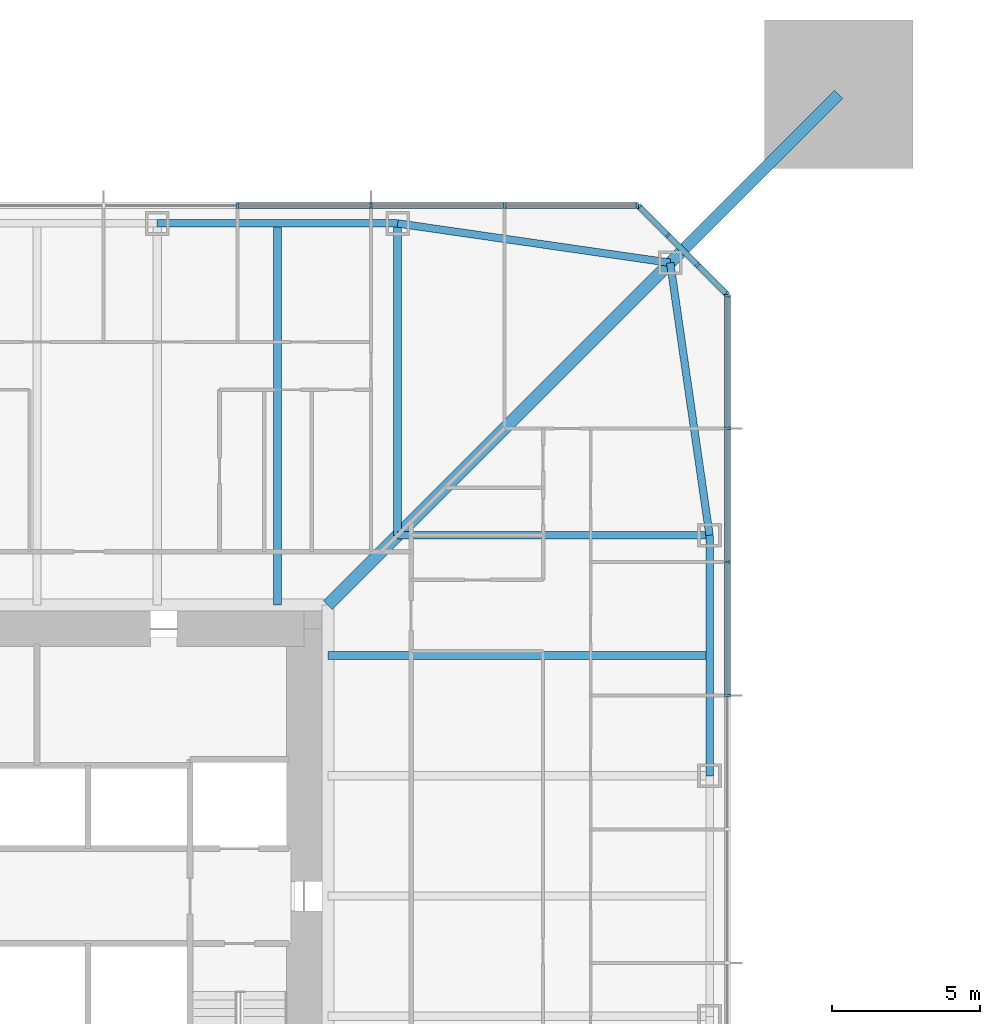
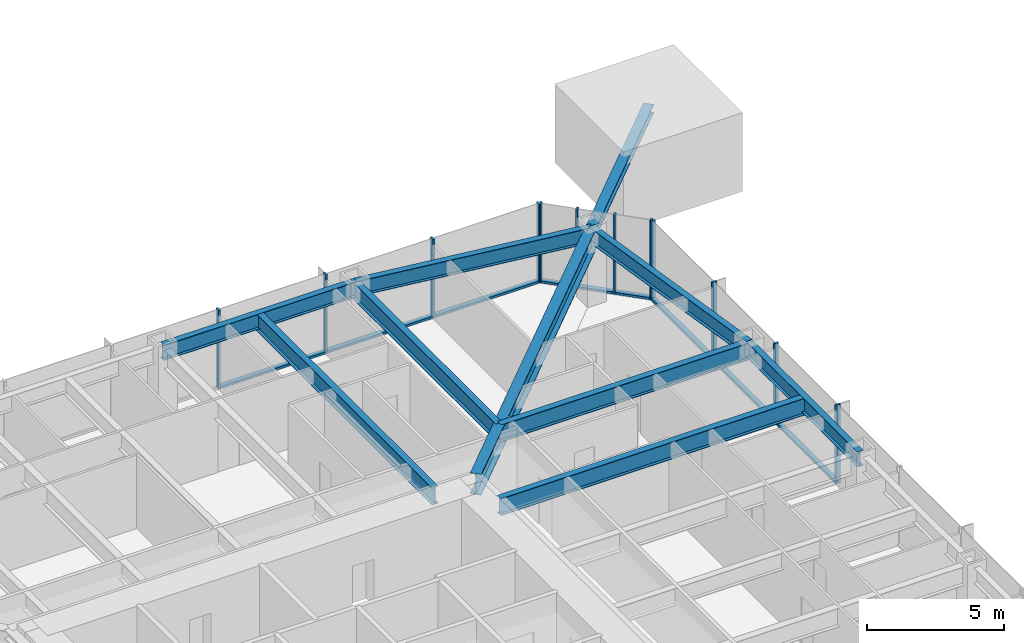
# One storey, part 7 of 26: 22 members, 9 beams, 3 elements without a shape of their own.
"""IFC4 building model written with IfcOpenShell, lengths in metres."""

from ifc_helpers import new_model, si_unit, direction, frame, origin, origin_2d, place, context, subcontext, project, spatial, rectangle, i_section, extrude, material, material_profile, profile_set, type_object, element, aggregate, save


model = new_model("IFC4")

# Units and contexts
model_context = context("Model", 3, precision=1e-05, world=origin(), true_north=direction((0.0, 1.0)))
body_context = subcontext(model_context, "Body", "Model", "MODEL_VIEW")
ifc_project = project(units=[si_unit("LENGTHUNIT", "METRE"), si_unit("AREAUNIT", "SQUARE_METRE"), si_unit("VOLUMEUNIT", "CUBIC_METRE"), si_unit("PLANEANGLEUNIT", "RADIAN"), si_unit("MASSUNIT", "GRAM", prefix="KILO")], contexts=[model_context])

# Site, building, storey
site_placement = place(None, origin())
site = spatial("IfcSite", under=ifc_project, at=site_placement, CompositionType="ELEMENT")
building_placement = place(site_placement, origin())
building = spatial("IfcBuilding", under=site, at=building_placement, Name="Iwan Alto Co-Living Towers", CompositionType="ELEMENT")
storey_placement = place(building_placement, frame((0.0, 0.0, 32.5)))
storey = spatial("IfcBuildingStorey", under=building, at=storey_placement, Name="L08", CompositionType="ELEMENT", Elevation=32.5)

# Curtain wall, members
ifc_material_1 = material(Name="Bronze aluminium unitised frame", Category="aluminium")
curtain_wall_type_1 = type_object("IfcCurtainWallType", Name="CURTAIN WALL CW-A", PredefinedType="NOTDEFINED", material=ifc_material_1)
curtain_wall_1_placement = place(storey_placement, origin())
curtain_wall_1 = element("IfcCurtainWall", 1, at=curtain_wall_1_placement, inside=storey, type_object=curtain_wall_type_1, Name="T1 curtain wall E L08", PredefinedType="NOTDEFINED")
ifc_material_2 = material(Name="Aluminium 6063-T6 bronze anodised", Category="aluminium")
ifc_material_profile_1 = material_profile(ifc_material_2, rectangle(XDim=0.199951171875, YDim=0.080078125, at=origin_2d()), Name="AL 80X200")
ifc_profile_set_1 = profile_set([ifc_material_profile_1], Name="Aluminium 6063-T6 bronze anodised")
member_type_1 = type_object("IfcMemberType", Name="CW-A MULLION 80X200", PredefinedType="MULLION", material=ifc_profile_set_1)
member_1_placement = place(storey_placement, frame((23.25, 6.75, 0.0), z_axis=(0.0, 0.0, 1.0), x_axis=(-1.0, 0.0, 0.0)))
member_1 = element("IfcMember", 2, at=member_1_placement, type_object=member_type_1, Name="CW-A mullion 7", PredefinedType="MULLION", context=body_context, shape_type="SweptSolid", body=[
    extrude(rectangle(XDim=0.199951171875, YDim=0.080078125, at=origin_2d()), origin(), (0.0, 0.0, 1.0), 3.5),
])
member_2_placement = place(storey_placement, frame((23.25, 11.25, 0.0), z_axis=(0.0, 0.0, 1.0), x_axis=(-1.0, 0.0, 0.0)))
member_2 = element("IfcMember", 3, at=member_2_placement, type_object=member_type_1, Name="CW-A mullion 8", PredefinedType="MULLION", context=body_context, shape_type="SweptSolid", body=[
    extrude(rectangle(XDim=0.199951171875, YDim=0.080078125, at=origin_2d()), origin(), (0.0, 0.0, 1.0), 3.5),
])
member_3_placement = place(storey_placement, frame((23.25, 15.75, 0.0), z_axis=(0.0, 0.0, 1.0), x_axis=(-1.0, 0.0, 0.0)))
member_3 = element("IfcMember", 4, at=member_3_placement, type_object=member_type_1, Name="CW-A mullion 9", PredefinedType="MULLION", context=body_context, shape_type="SweptSolid", body=[
    extrude(rectangle(XDim=0.199951171875, YDim=0.080078125, at=origin_2d()), origin(), (0.0, 0.0, 1.0), 3.5),
])
member_4_placement = place(storey_placement, frame((23.25, 20.2099609375, 0.0), z_axis=(0.0, 0.0, 1.0), x_axis=(-1.0, 0.0, 0.0)))
member_4 = element("IfcMember", 5, at=member_4_placement, type_object=member_type_1, Name="CW-A mullion 10", PredefinedType="MULLION", context=body_context, shape_type="SweptSolid", body=[
    extrude(rectangle(XDim=0.199951171875, YDim=0.080078125, at=origin_2d()), origin(), (0.0, 0.0, 1.0), 3.5),
])

curtain_wall_2_placement = place(storey_placement, origin())
curtain_wall_2 = element("IfcCurtainWall", 6, at=curtain_wall_2_placement, inside=storey, type_object=curtain_wall_type_1, Name="T1 curtain wall N L08", PredefinedType="NOTDEFINED")
member_5_placement = place(storey_placement, frame((20.2099609375, 23.25, 0.0), z_axis=(0.0, 0.0, 1.0), x_axis=(0.0, -1.0, 0.0)))
member_5 = element("IfcMember", 7, at=member_5_placement, type_object=member_type_1, Name="CW-A mullion 1", PredefinedType="MULLION", context=body_context, shape_type="SweptSolid", body=[
    extrude(rectangle(XDim=0.199951171875, YDim=0.080078125, at=origin_2d()), origin(), (0.0, 0.0, 1.0), 3.5),
])
member_6_placement = place(storey_placement, frame((15.75, 23.25, 0.0), z_axis=(0.0, 0.0, 1.0), x_axis=(0.0, -1.0, 0.0)))
member_6 = element("IfcMember", 8, at=member_6_placement, type_object=member_type_1, Name="CW-A mullion 2", PredefinedType="MULLION", context=body_context, shape_type="SweptSolid", body=[
    extrude(rectangle(XDim=0.199951171875, YDim=0.080078125, at=origin_2d()), origin(), (0.0, 0.0, 1.0), 3.5),
])
member_7_placement = place(storey_placement, frame((11.25, 23.25, 0.0), z_axis=(0.0, 0.0, 1.0), x_axis=(0.0, -1.0, 0.0)))
member_7 = element("IfcMember", 9, at=member_7_placement, type_object=member_type_1, Name="CW-A mullion 3", PredefinedType="MULLION", context=body_context, shape_type="SweptSolid", body=[
    extrude(rectangle(XDim=0.199951171875, YDim=0.080078125, at=origin_2d()), origin(), (0.0, 0.0, 1.0), 3.5),
])
member_8_placement = place(storey_placement, frame((6.75, 23.25, 0.0), z_axis=(0.0, 0.0, 1.0), x_axis=(0.0, -1.0, 0.0)))
member_8 = element("IfcMember", 10, at=member_8_placement, type_object=member_type_1, Name="CW-A mullion 4", PredefinedType="MULLION", context=body_context, shape_type="SweptSolid", body=[
    extrude(rectangle(XDim=0.199951171875, YDim=0.080078125, at=origin_2d()), origin(), (0.0, 0.0, 1.0), 3.5),
])

# Member
ifc_material_3 = material(Name="Aluminium 6063-T6 bronze anodised", Category="aluminium")
ifc_material_profile_2 = material_profile(ifc_material_3, rectangle(XDim=0.199951171875, YDim=0.10009765625, at=origin_2d()), Name="AL 200X100")
ifc_profile_set_2 = profile_set([ifc_material_profile_2], Name="Aluminium 6063-T6 bronze anodised")
member_type_2 = type_object("IfcMemberType", Name="CW-A TRANSOM 200X100", PredefinedType="USERDEFINED", material=ifc_profile_set_2)
member_9_placement = place(storey_placement, frame((23.25, 6.7900390625, 0.050048828125), z_axis=(0.0, 1.0, 0.0), x_axis=(-1.0, 0.0, 0.0)))
member_9 = element("IfcMember", 11, at=member_9_placement, type_object=member_type_2, Name="CW-A transom 7.1", ObjectType="TRANSOM", PredefinedType="USERDEFINED", context=body_context, shape_type="SweptSolid", body=[
    extrude(rectangle(XDim=0.199951171875, YDim=0.10009765625, at=origin_2d()), origin(), (0.0, 0.0, 1.0), 4.419921875),
])

member_10_placement = place(storey_placement, frame((23.25, 11.2900390625, 0.050048828125), z_axis=(0.0, 1.0, 0.0), x_axis=(-1.0, 0.0, 0.0)))
member_10 = element("IfcMember", 12, at=member_10_placement, type_object=member_type_2, Name="CW-A transom 8.1", ObjectType="TRANSOM", PredefinedType="USERDEFINED", context=body_context, shape_type="SweptSolid", body=[
    extrude(rectangle(XDim=0.199951171875, YDim=0.10009765625, at=origin_2d()), origin(), (0.0, 0.0, 1.0), 4.419921875),
])

member_11_placement = place(storey_placement, frame((23.25, 15.7900390625, 0.050048828125), z_axis=(0.0, 1.0, 0.0), x_axis=(-1.0, 0.0, 0.0)))
member_11 = element("IfcMember", 13, at=member_11_placement, type_object=member_type_2, Name="CW-A transom 9.1", ObjectType="TRANSOM", PredefinedType="USERDEFINED", context=body_context, shape_type="SweptSolid", body=[
    extrude(rectangle(XDim=0.199951171875, YDim=0.10009765625, at=origin_2d()), origin(), (0.0, 0.0, 1.0), 4.3798828125),
])

aggregate(curtain_wall_1, [member_1, member_2, member_3, member_4, member_9, member_10, member_11])

member_12_placement = place(storey_placement, frame((20.169921875, 23.25, 0.050048828125), z_axis=(-1.0, 0.0, 0.0), x_axis=(0.0, -1.0, 0.0)))
member_12 = element("IfcMember", 14, at=member_12_placement, type_object=member_type_2, Name="CW-A transom 1.1", ObjectType="TRANSOM", PredefinedType="USERDEFINED", context=body_context, shape_type="SweptSolid", body=[
    extrude(rectangle(XDim=0.199951171875, YDim=0.10009765625, at=origin_2d()), origin(), (0.0, 0.0, 1.0), 4.3798828125),
])

member_13_placement = place(storey_placement, frame((15.7099609375, 23.25, 0.050048828125), z_axis=(-1.0, 0.0, 0.0), x_axis=(0.0, -1.0, 0.0)))
member_13 = element("IfcMember", 15, at=member_13_placement, type_object=member_type_2, Name="CW-A transom 2.1", ObjectType="TRANSOM", PredefinedType="USERDEFINED", context=body_context, shape_type="SweptSolid", body=[
    extrude(rectangle(XDim=0.199951171875, YDim=0.10009765625, at=origin_2d()), origin(), (0.0, 0.0, 1.0), 4.419921875),
])

member_14_placement = place(storey_placement, frame((11.2099609375, 23.25, 0.050048828125), z_axis=(-1.0, 0.0, 0.0), x_axis=(0.0, -1.0, 0.0)))
member_14 = element("IfcMember", 16, at=member_14_placement, type_object=member_type_2, Name="CW-A transom 3.1", ObjectType="TRANSOM", PredefinedType="USERDEFINED", context=body_context, shape_type="SweptSolid", body=[
    extrude(rectangle(XDim=0.199951171875, YDim=0.10009765625, at=origin_2d()), origin(), (0.0, 0.0, 1.0), 4.419921875),
])

aggregate(curtain_wall_2, [member_5, member_6, member_7, member_8, member_12, member_13, member_14])

# Curtain wall, members
ifc_material_4 = material(Name="Bronze aluminium unitised frame", Category="aluminium")
curtain_wall_type_2 = type_object("IfcCurtainWallType", Name="CURTAIN WALL CW-B", PredefinedType="NOTDEFINED", material=ifc_material_4)
curtain_wall_3_placement = place(storey_placement, origin())
curtain_wall_3 = element("IfcCurtainWall", 17, at=curtain_wall_3_placement, inside=storey, type_object=curtain_wall_type_2, Name="T1 chamfer curtain wall NE L08", PredefinedType="NOTDEFINED")
ifc_material_5 = material(Name="Aluminium 6063-T6 bronze anodised", Category="aluminium")
ifc_material_profile_3 = material_profile(ifc_material_5, rectangle(XDim=0.199951171875, YDim=0.080078125, at=origin_2d()), Name="AL 80X200")
ifc_profile_set_3 = profile_set([ifc_material_profile_3], Name="Aluminium 6063-T6 bronze anodised")
member_type_3 = type_object("IfcMemberType", Name="CW-B MULLION 80X200", PredefinedType="MULLION", material=ifc_profile_set_3)
member_15_placement = place(storey_placement, frame((23.2216796875, 20.2783203125, 0.0), z_axis=(0.0, 0.0, 1.0), x_axis=(-0.707106781187, -0.707106781187, 0.0)))
member_15 = element("IfcMember", 18, at=member_15_placement, type_object=member_type_3, Name="CW-B mullion 1", PredefinedType="MULLION", context=body_context, shape_type="SweptSolid", body=[
    extrude(rectangle(XDim=0.199951171875, YDim=0.080078125, at=origin_2d()), origin(), (0.0, 0.0, 1.0), 3.5),
])
member_16_placement = place(storey_placement, frame((22.25, 21.25, 0.0), z_axis=(0.0, 0.0, 1.0), x_axis=(-0.707106781187, -0.707106781187, 0.0)))
member_16 = element("IfcMember", 19, at=member_16_placement, type_object=member_type_3, Name="CW-B mullion 2", PredefinedType="MULLION", context=body_context, shape_type="SweptSolid", body=[
    extrude(rectangle(XDim=0.199951171875, YDim=0.080078125, at=origin_2d()), origin(), (0.0, 0.0, 1.0), 3.5),
])
member_17_placement = place(storey_placement, frame((21.25, 22.25, 0.0), z_axis=(0.0, 0.0, 1.0), x_axis=(-0.707106781187, -0.707106781187, 0.0)))
member_17 = element("IfcMember", 20, at=member_17_placement, type_object=member_type_3, Name="CW-B mullion 3", PredefinedType="MULLION", context=body_context, shape_type="SweptSolid", body=[
    extrude(rectangle(XDim=0.199951171875, YDim=0.080078125, at=origin_2d()), origin(), (0.0, 0.0, 1.0), 3.5),
])
member_18_placement = place(storey_placement, frame((20.2783203125, 23.2216796875, 0.0), z_axis=(0.0, 0.0, 1.0), x_axis=(-0.707106781187, -0.707106781187, 0.0)))
member_18 = element("IfcMember", 21, at=member_18_placement, type_object=member_type_3, Name="CW-B mullion 4", PredefinedType="MULLION", context=body_context, shape_type="SweptSolid", body=[
    extrude(rectangle(XDim=0.199951171875, YDim=0.080078125, at=origin_2d()), origin(), (0.0, 0.0, 1.0), 3.5),
])
ifc_material_6 = material(Name="Aluminium 6063-T6 bronze anodised", Category="aluminium")
ifc_material_profile_4 = material_profile(ifc_material_6, rectangle(XDim=0.199951171875, YDim=0.10009765625, at=origin_2d()), Name="AL 200X100")
ifc_profile_set_4 = profile_set([ifc_material_profile_4], Name="Aluminium 6063-T6 bronze anodised")
member_type_4 = type_object("IfcMemberType", Name="CW-B TRANSOM 200X100", PredefinedType="USERDEFINED", material=ifc_profile_set_4)
member_19_placement = place(storey_placement, frame((23.193359375, 20.306640625, 0.050048828125), z_axis=(-0.707106781187, 0.707106781187, 0.0), x_axis=(-0.707106781187, -0.707106781187, 0.0)))
member_19 = element("IfcMember", 22, at=member_19_placement, type_object=member_type_4, Name="CW-B transom 1.1", ObjectType="TRANSOM", PredefinedType="USERDEFINED", context=body_context, shape_type="SweptSolid", body=[
    extrude(rectangle(XDim=0.199951171875, YDim=0.10009765625, at=origin_2d()), origin(), (0.0, 0.0, 1.0), 1.2939453125),
])
member_20_placement = place(storey_placement, frame((22.2216796875, 21.2783203125, 0.050048828125), z_axis=(-0.707106781187, 0.707106781187, 0.0), x_axis=(-0.707106781187, -0.707106781187, 0.0)))
member_20 = element("IfcMember", 23, at=member_20_placement, type_object=member_type_4, Name="CW-B transom 2.1", ObjectType="TRANSOM", PredefinedType="USERDEFINED", context=body_context, shape_type="SweptSolid", body=[
    extrude(rectangle(XDim=0.199951171875, YDim=0.10009765625, at=origin_2d()), origin(), (0.0, 0.0, 1.0), 1.334228515625),
])
member_21_placement = place(storey_placement, frame((21.2216796875, 22.2783203125, 0.050048828125), z_axis=(-0.707106781187, 0.707106781187, 0.0), x_axis=(-0.707106781187, -0.707106781187, 0.0)))
member_21 = element("IfcMember", 24, at=member_21_placement, type_object=member_type_4, Name="CW-B transom 3.1", ObjectType="TRANSOM", PredefinedType="USERDEFINED", context=body_context, shape_type="SweptSolid", body=[
    extrude(rectangle(XDim=0.199951171875, YDim=0.10009765625, at=origin_2d()), origin(), (0.0, 0.0, 1.0), 1.2939453125),
])
aggregate(curtain_wall_3, [member_15, member_16, member_17, member_18, member_19, member_20, member_21])

# Beams
ifc_material_7 = material(Name="Steel ASTM A992 Gr 50", Category="steel")
ifc_material_profile_5 = material_profile(ifc_material_7, i_section(OverallWidth=0.419189453125, OverallDepth=0.927001953125, WebThickness=0.019287109375, FlangeThickness=0.031982421875, at=origin_2d()), Name="W36X231")
ifc_profile_set_5 = profile_set([ifc_material_profile_5], Name="Steel ASTM A992 Gr 50")
beam_type_1 = type_object("IfcBeamType", Name="T1 CORNER GIRDER W36X231", PredefinedType="BEAM", material=ifc_profile_set_5)
beam_1_placement = place(storey_placement, frame((21.32568359375, 21.32568359375, 2.806396484375), z_axis=(-0.707106781187, -0.707106781187, 0.0), x_axis=(0.707106781187, -0.707106781187, 0.0)))
element("IfcBeam", 25, at=beam_1_placement, inside=storey, type_object=beam_type_1, Name="T1 corner girder CNE L09", PredefinedType="BEAM", context=body_context, shape_type="SweptSolid", body=[
    extrude(i_section(OverallWidth=0.419189453125, OverallDepth=0.927001953125, WebThickness=0.019287109375, FlangeThickness=0.031982421875, at=origin_2d()), origin(), (0.0, 0.0, 1.0), 16.296875),
])
ifc_material_8 = material(Name="Steel ASTM A992 Gr 50", Category="steel")
ifc_material_profile_6 = material_profile(ifc_material_8, i_section(OverallWidth=0.25390625, OverallDepth=0.683349609375, WebThickness=0.012451171875, FlangeThickness=0.018798828125, at=origin_2d()), Name="W27X94")
ifc_profile_set_6 = profile_set([ifc_material_profile_6], Name="Steel ASTM A992 Gr 50")
beam_type_2 = type_object("IfcBeamType", Name="T1 EDGE BEAM W27X94", PredefinedType="BEAM", material=ifc_profile_set_6)
beam_2_placement = place(storey_placement, frame((22.64990234375, 4.050048828125, 2.928466796875), z_axis=(0.0, 1.0, 0.0), x_axis=(-1.0, 0.0, 0.0)))
element("IfcBeam", 26, at=beam_2_placement, inside=storey, type_object=beam_type_2, Name="T1 edge beam E3 L09", PredefinedType="BEAM", context=body_context, shape_type="SweptSolid", body=[
    extrude(i_section(OverallWidth=0.25390625, OverallDepth=0.683349609375, WebThickness=0.012451171875, FlangeThickness=0.018798828125, at=origin_2d()), origin(), (0.0, 0.0, 1.0), 8.099853515625),
])
for number, where, z_axis, x_axis, name in (
    (27, (22.64990234375, 12.14990234375, 2.928466796875), (-0.142836940589, 0.989746234347, 0.0), (-0.989746234347, -0.142836940589, 0.0), "T1 edge beam E4 L09"),
    (28, (21.32568359375, 21.32568359375, 2.928466796875), (-0.989746234347, 0.142836940589, 0.0), (-0.142836940589, -0.989746234347, 0.0), "T1 edge beam CNE L09"),
):
    element("IfcBeam", number, at=place(storey_placement, frame(where, z_axis=z_axis, x_axis=x_axis)), inside=storey, type_object=beam_type_2, Name=name, PredefinedType="BEAM", context=body_context, shape_type="SweptSolid", body=[
        extrude(i_section(OverallWidth=0.25390625, OverallDepth=0.683349609375, WebThickness=0.012451171875, FlangeThickness=0.018798828125, at=origin_2d()), origin(), (0.0, 0.0, 1.0), 9.270751953125),
    ])
beam_3_placement = place(storey_placement, frame((12.14990234375, 22.64990234375, 2.928466796875), z_axis=(-1.0, 0.0, 0.0), x_axis=(0.0, -1.0, 0.0)))
element("IfcBeam", 29, at=beam_3_placement, inside=storey, type_object=beam_type_2, Name="T1 edge beam N1 L09", PredefinedType="BEAM", context=body_context, shape_type="SweptSolid", body=[
    extrude(i_section(OverallWidth=0.25390625, OverallDepth=0.683349609375, WebThickness=0.012451171875, FlangeThickness=0.018798828125, at=origin_2d()), origin(), (0.0, 0.0, 1.0), 8.099853515625),
])

# Member
ifc_material_9 = material(Name="Steel ASTM A992 Gr 50", Category="steel")
ifc_material_profile_7 = material_profile(ifc_material_9, i_section(OverallWidth=0.393798828125, OverallDepth=0.3759765625, WebThickness=0.017333984375, FlangeThickness=0.027587890625, at=origin_2d()), Name="W14X145")
ifc_profile_set_7 = profile_set([ifc_material_profile_7], Name="Steel ASTM A992 Gr 50")
member_type_5 = type_object("IfcMemberType", Name="T1 MEGA COLUMN FLOOR TIE W14X145", PredefinedType="STRUT", material=ifc_profile_set_7)
member_22_placement = place(storey_placement, frame((27.0, 27.0, 3.08203125), z_axis=(-0.707106781187, -0.707106781187, 0.0), x_axis=(0.707106781187, -0.707106781187, 0.0)))
element("IfcMember", 30, at=member_22_placement, inside=storey, type_object=member_type_5, Name="T1 mega column floor tie NE L09", PredefinedType="STRUT", context=body_context, shape_type="SweptSolid", body=[
    extrude(i_section(OverallWidth=0.393798828125, OverallDepth=0.3759765625, WebThickness=0.017333984375, FlangeThickness=0.027587890625, at=origin_2d()), origin(), (0.0, 0.0, 1.0), 8.024658203125),
])

# Beams
ifc_material_10 = material(Name="Steel ASTM A992 Gr 50", Category="steel")
ifc_material_profile_8 = material_profile(ifc_material_10, i_section(OverallWidth=0.2666015625, OverallDepth=0.761962890625, WebThickness=0.014404296875, FlangeThickness=0.021484375, at=origin_2d()), Name="W30X116")
ifc_profile_set_8 = profile_set([ifc_material_profile_8], Name="Steel ASTM A992 Gr 50")
beam_type_3 = type_object("IfcBeamType", Name="T1 RADIAL BEAM W30X116", PredefinedType="BEAM", material=ifc_profile_set_8)
for number, where, z_axis, x_axis, name in (
    (31, (22.64990234375, 12.14990234375, 2.888916015625), (-1.0, 0.0, 0.0), (0.0, -1.0, 0.0), "T1 radial beam E4 L09"),
    (32, (12.14990234375, 22.64990234375, 2.888916015625), (0.0, -1.0, 0.0), (1.0, 0.0, 0.0), "T1 radial beam N1 L09"),
):
    element("IfcBeam", number, at=place(storey_placement, frame(where, z_axis=z_axis, x_axis=x_axis)), inside=storey, type_object=beam_type_3, Name=name, PredefinedType="BEAM", context=body_context, shape_type="SweptSolid", body=[
        extrude(i_section(OverallWidth=0.2666015625, OverallDepth=0.761962890625, WebThickness=0.014404296875, FlangeThickness=0.021484375, at=origin_2d()), origin(), (0.0, 0.0, 1.0), 10.5),
    ])
ifc_material_11 = material(Name="Steel ASTM A992 Gr 50", Category="steel")
ifc_material_profile_9 = material_profile(ifc_material_11, i_section(OverallWidth=0.2666015625, OverallDepth=0.761962890625, WebThickness=0.014404296875, FlangeThickness=0.021484375, at=origin_2d()), Name="W30X116")
ifc_profile_set_9 = profile_set([ifc_material_profile_9], Name="Steel ASTM A992 Gr 50")
beam_type_4 = type_object("IfcBeamType", Name="T1 SECONDARY BEAM W30X116", PredefinedType="JOIST", material=ifc_profile_set_9)
for number, where, z_axis, x_axis, name in (
    (33, (22.64990234375, 8.10009765625, 2.888916015625), (-1.0, 0.0, 0.0), (0.0, -1.0, 0.0), "T1 secondary beam E3 L09"),
    (34, (8.10009765625, 22.64990234375, 2.888916015625), (0.0, -1.0, 0.0), (1.0, 0.0, 0.0), "T1 secondary beam N1 L09"),
):
    element("IfcBeam", number, at=place(storey_placement, frame(where, z_axis=z_axis, x_axis=x_axis)), inside=storey, type_object=beam_type_4, Name=name, PredefinedType="JOIST", context=body_context, shape_type="SweptSolid", body=[
        extrude(i_section(OverallWidth=0.2666015625, OverallDepth=0.761962890625, WebThickness=0.014404296875, FlangeThickness=0.021484375, at=origin_2d()), origin(), (0.0, 0.0, 1.0), 12.847900390625),
    ])

save(model, "model.ifc")
